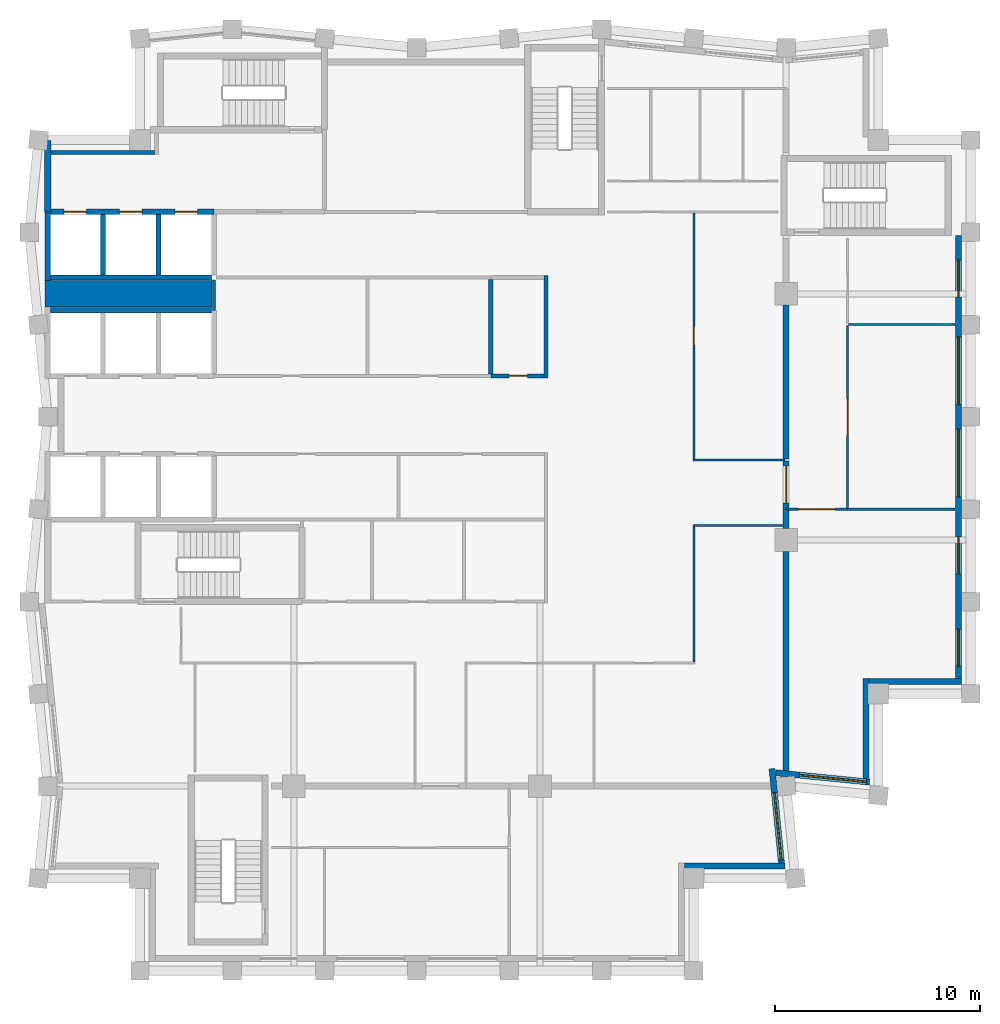
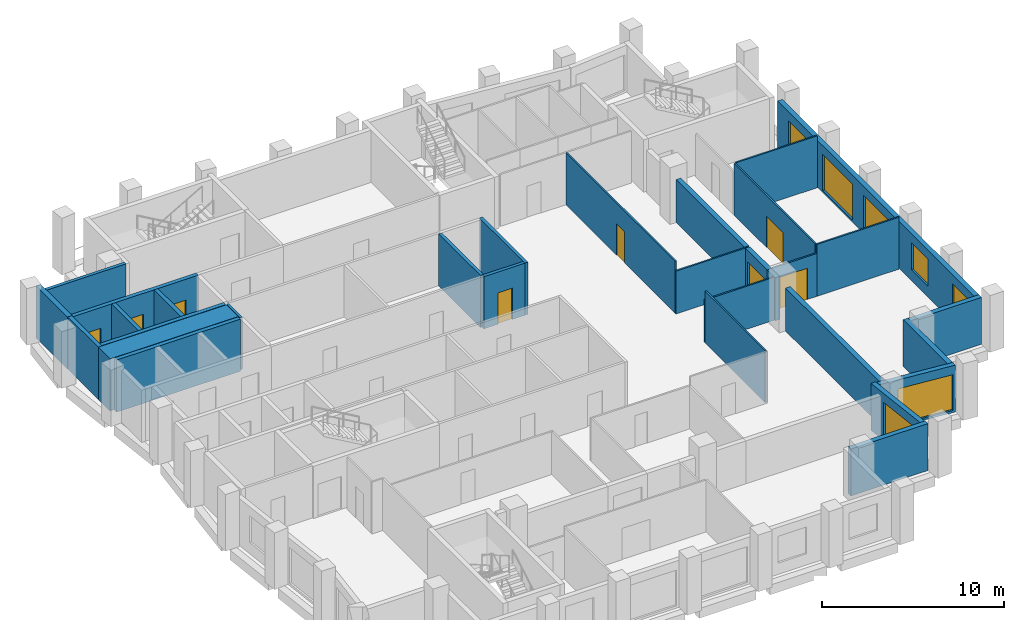
# One storey, part 4 of 7: 31 walls, 8 doors, 7 windows, 15 openings.
"""IFC4 building model written with IfcOpenShell, lengths in metres."""

from ifc_helpers import new_model, si_unit, direction, frame, frame_2d, origin, place, context, subcontext, project, spatial, rectangle, extrude, material, layer, layer_set, type_object, element, fill, save


model = new_model("IFC4")

# Units and contexts
model_context = context("Model", 3, precision=1e-05, world=origin(), true_north=direction((0.0, 1.0)))
body_context = subcontext(model_context, "Body", "Model", "MODEL_VIEW")
ifc_project = project(units=[si_unit("LENGTHUNIT", "METRE"), si_unit("AREAUNIT", "SQUARE_METRE"), si_unit("VOLUMEUNIT", "CUBIC_METRE"), si_unit("PLANEANGLEUNIT", "RADIAN"), si_unit("MASSUNIT", "GRAM", prefix="KILO")], contexts=[model_context])

# Site, building, storey
site_placement = place(None, origin())
site = spatial("IfcSite", under=ifc_project, at=site_placement, CompositionType="ELEMENT")
building_placement = place(site_placement, origin())
building = spatial("IfcBuilding", under=site, at=building_placement, Name="Brondeck Convention Tower", CompositionType="ELEMENT")
storey_placement = place(building_placement, frame((0.0, 0.0, 263.800048828125)))
storey = spatial("IfcBuildingStorey", under=building, at=storey_placement, Name="L65", CompositionType="ELEMENT", Elevation=263.800048828125)

# Walls
ifc_material_1 = material(Name="Concrete compartment wall C30/37", Category="concrete")
ifc_layer_1 = layer(ifc_material_1, 0.300048828125)
ifc_layer_set_1 = layer_set([ifc_layer_1], Name="Compartment wall 300")
wall_type_1 = type_object("IfcWallType", Name="Compartment wall 300", PredefinedType="PARTITIONING", material=ifc_layer_set_1)
wall_1_placement = place(storey_placement, frame((36.0, 27.773681640625, 0.0), z_axis=(0.0, 0.0, 1.0), x_axis=(0.0, 1.0, 0.0)))
element("IfcWall", 1, at=wall_1_placement, inside=storey, type_object=wall_type_1, Name="FLR-L65-W020", PredefinedType="PARTITIONING", context=body_context, shape_type="SweptSolid", body=[
    extrude(rectangle(XDim=10.67138671875, YDim=0.300048828125, at=frame_2d((5.335693359375, 0.0))), origin(), (0.0, 0.0, 1.0), 2.8798828125),
])
wall_2_placement = place(storey_placement, frame((36.0, 40.449951171875, 0.0), z_axis=(0.0, 0.0, 1.0), x_axis=(0.0, -1.0, 0.0)))
element("IfcWall", 2, at=wall_2_placement, inside=storey, type_object=wall_type_1, Name="FLR-L65-W032", PredefinedType="PARTITIONING", context=body_context, shape_type="SweptSolid", body=[
    extrude(rectangle(XDim=0.8798828125, YDim=0.300048828125, at=frame_2d((0.43994140625, 0.0))), origin(), (0.0, 0.0, 1.0), 2.8798828125),
])

# Wall, opening, door
wall_3_placement = place(storey_placement, frame((36.0, 42.85009765625, 0.0), z_axis=(0.0, 0.0, 1.0), x_axis=(0.0, -1.0, 0.0)))
wall_3 = element("IfcWall", 3, at=wall_3_placement, inside=storey, type_object=wall_type_1, Name="FLR-L65-W035", PredefinedType="PARTITIONING", context=body_context, shape_type="SweptSolid", body=[
    extrude(rectangle(XDim=2.39501953125, YDim=0.300048828125, at=frame_2d((1.197509765625, 0.0))), origin(), (0.0, 0.0, 1.0), 2.8798828125),
])
opening_1_placement = place(wall_3_placement, frame((0.25, 0.0, 0.0)))
opening_1 = element("IfcOpeningElement", 4, at=opening_1_placement, cuts=wall_3, Name="Opening EX-B-017", PredefinedType="OPENING", context=body_context, shape_type="SweptSolid", body=[
    extrude(rectangle(XDim=1.800048828125, YDim=2.10009765625, at=frame_2d((0.89990234375, 1.050048828125))), frame((0.0, 0.159912109375, 0.0), z_axis=(0.0, -1.0, 0.0), x_axis=(1.0, 0.0, 0.0)), (0.0, 0.0, 1.0), 0.320068359375),
])
ifc_material_2 = material(Name="Steel fire door pair", Category="steel")
door_type_1 = type_object("IfcDoorType", Name="Fire door pair 1800", OperationType="DOUBLE_DOOR_SINGLE_SWING", PredefinedType="DOOR", material=ifc_material_2)
door_1_placement = place(opening_1_placement, origin())
door_1 = element("IfcDoor", 5, at=door_1_placement, inside=storey, type_object=door_type_1, Name="Door EX-B-017", OperationType="DOUBLE_DOOR_SINGLE_SWING", OverallHeight=2.10009765625, OverallWidth=1.800048828125, PredefinedType="DOOR", context=body_context, shape_type="SweptSolid", body=[
    extrude(rectangle(XDim=1.800048828125, YDim=2.10009765625, at=frame_2d((0.89990234375, 1.050048828125))), frame((0.0, 0.02490234375, 0.0), z_axis=(0.0, -1.0, 0.0), x_axis=(1.0, 0.0, 0.0)), (0.0, 0.0, 1.0), 0.050048828125),
])
fill(opening_1, door_1)

# Walls
wall_4_placement = place(storey_placement, frame((36.0, 42.949951171875, 0.0), z_axis=(0.0, 0.0, 1.0), x_axis=(0.0, 1.0, 0.0)))
element("IfcWall", 6, at=wall_4_placement, inside=storey, type_object=wall_type_1, Name="FLR-L65-W037", PredefinedType="PARTITIONING", context=body_context, shape_type="SweptSolid", body=[
    extrude(rectangle(XDim=7.4951171875, YDim=0.300048828125, at=frame_2d((3.74755859375, 0.0))), origin(), (0.0, 0.0, 1.0), 2.8798828125),
])
ifc_material_3 = material(Name="Concrete C50/60", Category="concrete")
ifc_layer_2 = layer(ifc_material_3, 0.199951171875)
ifc_layer_set_2 = layer_set([ifc_layer_2], Name="Core beam-seat wall 200 Concrete C50/60")
wall_type_2 = type_object("IfcWallType", Name="Core beam-seat wall 200 Concrete C50/60", PredefinedType="SHEAR", material=ifc_layer_set_2)
wall_5_placement = place(storey_placement, frame((24.300048828125, 46.89990234375, 0.0), z_axis=(0.0, 0.0, 1.0), x_axis=(0.0, 1.0, 0.0)))
element("IfcWall", 7, at=wall_5_placement, inside=storey, type_object=wall_type_2, Name="L65 core wall", PredefinedType="SHEAR", context=body_context, shape_type="SweptSolid", body=[
    extrude(rectangle(XDim=5.0, YDim=0.199951171875, at=frame_2d((2.5, 0.0))), origin(), (0.0, 0.0, 1.0), 3.5),
])
ifc_layer_3 = layer(ifc_material_3, 0.300048828125)
ifc_layer_set_3 = layer_set([ifc_layer_3], Name="Core outer wall 300 Concrete C50/60")
wall_type_3 = type_object("IfcWallType", Name="Core outer wall 300 Concrete C50/60", PredefinedType="SHEAR", material=ifc_layer_set_3)
wall_6_placement = place(storey_placement, frame((0.0, 55.0, 0.0), z_axis=(0.0, 0.0, 1.0), x_axis=(0.0, 1.0, 0.0)))
element("IfcWall", 8, at=wall_6_placement, inside=storey, type_object=wall_type_3, Name="L65 core wall", PredefinedType="SHEAR", context=body_context, shape_type="SweptSolid", body=[
    extrude(rectangle(XDim=3.4775390625, YDim=0.300048828125, at=frame_2d((1.73876953125, 0.0))), origin(), (0.0, 0.0, 1.0), 3.5),
])
ifc_material_4 = material(Name="Fire-rated gypsum board partition")
ifc_layer_4 = layer(ifc_material_4, 0.14990234375)
ifc_layer_set_4 = layer_set([ifc_layer_4], Name="Core partition 150 EI 60")
wall_type_4 = type_object("IfcWallType", Name="Core partition 150 EI 60", PredefinedType="PARTITIONING", material=ifc_layer_set_4)
wall_7_placement = place(storey_placement, frame((8.10009765625, 50.199951171875, 0.0), z_axis=(0.0, 0.0, 1.0), x_axis=(0.0, 1.0, 0.0)))
element("IfcWall", 9, at=wall_7_placement, inside=storey, type_object=wall_type_4, Name="L65 core wall", PredefinedType="PARTITIONING", context=body_context, shape_type="SweptSolid", body=[
    extrude(rectangle(XDim=1.47509765625, YDim=0.14990234375, at=frame_2d((0.737548828125, 0.0))), origin(), (0.0, 0.0, 1.0), 3.5),
])
ifc_layer_5 = layer(ifc_material_3, 1.300048828125)
ifc_layer_set_5 = layer_set([ifc_layer_5], Name="Core shear wall 1300 Concrete C50/60")
wall_type_5 = type_object("IfcWallType", Name="Core shear wall 1300 Concrete C50/60", PredefinedType="SHEAR", material=ifc_layer_set_5)
wall_8_placement = place(storey_placement, frame((-0.125, 51.0, 0.0), z_axis=(0.0, 0.0, 1.0), x_axis=(1.0, 0.0, 0.0)))
element("IfcWall", 10, at=wall_8_placement, inside=storey, type_object=wall_type_5, Name="L65 core wall", PredefinedType="SHEAR", context=body_context, shape_type="SweptSolid", body=[
    extrude(rectangle(XDim=8.125, YDim=1.300048828125, at=frame_2d((4.0625, 0.0))), origin(), (0.0, 0.0, 1.0), 3.5),
])
ifc_material_5 = material(Name="Precast concrete C50/60 bronze finish", Category="concrete")
ifc_layer_6 = layer(ifc_material_5, 0.070068359375, Name="Bronze precast facing")
ifc_material_6 = material(Name="Mineral wool")
ifc_layer_7 = layer(ifc_material_6, 0.159912109375, Name="Insulation")
ifc_material_7 = material(Name="Concrete C35/45", Category="concrete")
ifc_layer_8 = layer(ifc_material_7, 0.070068359375, Name="Backing")
ifc_layer_set_6 = layer_set([ifc_layer_6, ifc_layer_7, ifc_layer_8], Name="External infill wall, precast concrete C50/60 bronze facing")
wall_type_6 = type_object("IfcWallType", Name="External infill wall, precast concrete C50/60 bronze facing", PredefinedType="SOLIDWALL", material=ifc_layer_set_6)
wall_9_placement = place(storey_placement, frame((35.952880859375, 23.10009765625, 0.0), z_axis=(0.0, 0.0, 1.0), x_axis=(-1.0, 0.0, 0.0)))
element("IfcWall", 11, at=wall_9_placement, inside=storey, type_object=wall_type_6, Name="ENV-EW-L65-P3-NC-SEB18-02", PredefinedType="SOLIDWALL", context=body_context, shape_type="SweptSolid", body=[
    extrude(rectangle(XDim=4.90283203125, YDim=0.300048828125, at=frame_2d((2.451416015625, 0.0))), origin(), (0.0, 0.0, 1.0), 3.14990234375),
])

# Wall, opening, window
wall_10_placement = place(storey_placement, frame((35.311767578125, 27.852294921875, 0.0), z_axis=(0.0, 0.0, 1.0), x_axis=(0.099503719021, -0.99503719021, 0.0)))
wall_10 = element("IfcWall", 12, at=wall_10_placement, inside=storey, type_object=wall_type_6, Name="ENV-EW-L65-P3-B-E-00", PredefinedType="SOLIDWALL", context=body_context, shape_type="SweptSolid", body=[
    extrude(rectangle(XDim=4.6201171875, YDim=0.300048828125, at=frame_2d((2.31005859375, 0.0))), origin(), (0.0, 0.0, 1.0), 3.14990234375),
])
opening_2_placement = place(wall_10_placement, frame((1.170166015625, 0.0, 0.14990234375)))
opening_2 = element("IfcOpeningElement", 13, at=opening_2_placement, cuts=wall_10, Name="Opening W9", PredefinedType="OPENING", context=body_context, shape_type="SweptSolid", body=[
    extrude(rectangle(XDim=3.300048828125, YDim=2.39990234375, at=frame_2d((1.64990234375, 1.199951171875))), frame((0.0, 0.159912109375, 0.0), z_axis=(0.0, -1.0, 0.0), x_axis=(1.0, 0.0, 0.0)), (0.0, 0.0, 1.0), 0.320068359375),
])
ifc_material_8 = material(Name="Bronze tinted double glazing", Category="glass")
window_type_1 = type_object("IfcWindowType", Name="Glazed flute window, bronze tinted", PartitioningType="SINGLE_PANEL", PredefinedType="WINDOW", material=ifc_material_8)
window_1_placement = place(opening_2_placement, origin())
window_1 = element("IfcWindow", 14, at=window_1_placement, inside=storey, type_object=window_type_1, Name="ENV-WN-L65-P3-B-E-00", OverallHeight=2.39990234375, OverallWidth=3.300048828125, PartitioningType="SINGLE_PANEL", PredefinedType="WINDOW", context=body_context, shape_type="SweptSolid", body=[
    extrude(rectangle(XDim=3.300048828125, YDim=2.39990234375, at=frame_2d((1.64990234375, 1.199951171875))), frame((0.0, 0.030029296875, 0.0), z_axis=(0.0, -1.0, 0.0), x_axis=(1.0, 0.0, 0.0)), (0.0, 0.0, 1.0), 0.06005859375),
])
fill(opening_2, window_1)

wall_11_placement = place(storey_placement, frame((40.06494140625, 27.196533203125, 0.0), z_axis=(0.0, 0.0, 1.0), x_axis=(-0.995036663613, 0.099508984853, 0.0)))
wall_11 = element("IfcWall", 15, at=wall_11_placement, inside=storey, type_object=wall_type_6, Name="ENV-EW-L65-P3-A-S-00", PredefinedType="SOLIDWALL", context=body_context, shape_type="SweptSolid", body=[
    extrude(rectangle(XDim=4.59033203125, YDim=0.300048828125, at=frame_2d((2.295166015625, 0.0))), origin(), (0.0, 0.0, 1.0), 3.14990234375),
])
opening_3_placement = place(wall_11_placement, frame((0.14990234375, 0.0, 0.14990234375)))
opening_3 = element("IfcOpeningElement", 16, at=opening_3_placement, cuts=wall_11, Name="Opening W9", PredefinedType="OPENING", context=body_context, shape_type="SweptSolid", body=[
    extrude(rectangle(XDim=3.300048828125, YDim=2.39990234375, at=frame_2d((1.64990234375, 1.199951171875))), frame((0.0, 0.159912109375, 0.0), z_axis=(0.0, -1.0, 0.0), x_axis=(1.0, 0.0, 0.0)), (0.0, 0.0, 1.0), 0.320068359375),
])
window_2_placement = place(opening_3_placement, origin())
window_2 = element("IfcWindow", 17, at=window_2_placement, inside=storey, type_object=window_type_1, Name="ENV-WN-L65-P3-A-S-00", OverallHeight=2.39990234375, OverallWidth=3.300048828125, PartitioningType="SINGLE_PANEL", PredefinedType="WINDOW", context=body_context, shape_type="SweptSolid", body=[
    extrude(rectangle(XDim=3.300048828125, YDim=2.39990234375, at=frame_2d((1.64990234375, 1.199951171875))), frame((0.0, 0.030029296875, 0.0), z_axis=(0.0, -1.0, 0.0), x_axis=(1.0, 0.0, 0.0)), (0.0, 0.0, 1.0), 0.06005859375),
])
fill(opening_3, window_2)

# Walls
wall_12_placement = place(storey_placement, frame((39.89990234375, 32.25, 0.0), z_axis=(0.0, 0.0, 1.0), x_axis=(0.0, -1.0, 0.0)))
element("IfcWall", 18, at=wall_12_placement, inside=storey, type_object=wall_type_6, Name="ENV-EW-L65-P3-NC-SEA45-01", PredefinedType="SOLIDWALL", context=body_context, shape_type="SweptSolid", body=[
    extrude(rectangle(XDim=4.881103515625, YDim=0.300048828125, at=frame_2d((2.4404296875, 0.0))), origin(), (0.0, 0.0, 1.0), 3.14990234375),
])
wall_13_placement = place(storey_placement, frame((44.550048828125, 32.10009765625, 0.0), z_axis=(0.0, 0.0, 1.0), x_axis=(-1.0, 0.0, 0.0)))
element("IfcWall", 19, at=wall_13_placement, inside=storey, type_object=wall_type_6, Name="ENV-EW-L65-P3-NC-SEA45-02", PredefinedType="SOLIDWALL", context=body_context, shape_type="SweptSolid", body=[
    extrude(rectangle(XDim=4.501953125, YDim=0.300048828125, at=frame_2d((2.2509765625, 0.0))), origin(), (0.0, 0.0, 1.0), 3.14990234375),
])

# Wall, openings, windows
wall_14_placement = place(storey_placement, frame((44.39990234375, 53.85009765625, 0.0), z_axis=(0.0, 0.0, 1.0), x_axis=(0.0, -1.0, 0.0)))
wall_14 = element("IfcWall", 20, at=wall_14_placement, inside=storey, type_object=wall_type_6, Name="ENV-EW-L65-P3-A-E45-01", PredefinedType="SOLIDWALL", context=body_context, shape_type="SweptSolid", body=[
    extrude(rectangle(XDim=21.60205078125, YDim=0.300048828125, at=frame_2d((10.801025390625, 0.0))), origin(), (0.0, 0.0, 1.0), 3.14990234375),
])
opening_4_placement = place(wall_14_placement, frame((1.199951171875, 0.0, 0.75)))
opening_4 = element("IfcOpeningElement", 21, at=opening_4_placement, cuts=wall_14, Name="Opening W10", PredefinedType="OPENING", context=body_context, shape_type="SweptSolid", body=[
    extrude(rectangle(XDim=1.800048828125, YDim=1.800048828125, at=frame_2d((0.89990234375, 0.89990234375))), frame((0.0, 0.159912109375, 0.0), z_axis=(0.0, -1.0, 0.0), x_axis=(1.0, 0.0, 0.0)), (0.0, 0.0, 1.0), 0.320068359375),
])
opening_5_placement = place(wall_14_placement, frame((4.949951171875, 0.0, 0.14990234375)))
opening_5 = element("IfcOpeningElement", 22, at=opening_5_placement, cuts=wall_14, Name="Opening W9", PredefinedType="OPENING", context=body_context, shape_type="SweptSolid", body=[
    extrude(rectangle(XDim=3.300048828125, YDim=2.39990234375, at=frame_2d((1.64990234375, 1.199951171875))), frame((0.0, 0.159912109375, 0.0), z_axis=(0.0, -1.0, 0.0), x_axis=(1.0, 0.0, 0.0)), (0.0, 0.0, 1.0), 0.320068359375),
])
opening_6_placement = place(wall_14_placement, frame((9.449951171875, 0.0, 0.14990234375)))
opening_6 = element("IfcOpeningElement", 23, at=opening_6_placement, cuts=wall_14, Name="Opening W9", PredefinedType="OPENING", context=body_context, shape_type="SweptSolid", body=[
    extrude(rectangle(XDim=3.300048828125, YDim=2.39990234375, at=frame_2d((1.64990234375, 1.199951171875))), frame((0.0, 0.159912109375, 0.0), z_axis=(0.0, -1.0, 0.0), x_axis=(1.0, 0.0, 0.0)), (0.0, 0.0, 1.0), 0.320068359375),
])
opening_7_placement = place(wall_14_placement, frame((14.699951171875, 0.0, 0.75)))
opening_7 = element("IfcOpeningElement", 24, at=opening_7_placement, cuts=wall_14, Name="Opening W10", PredefinedType="OPENING", context=body_context, shape_type="SweptSolid", body=[
    extrude(rectangle(XDim=1.800048828125, YDim=1.800048828125, at=frame_2d((0.89990234375, 0.89990234375))), frame((0.0, 0.159912109375, 0.0), z_axis=(0.0, -1.0, 0.0), x_axis=(1.0, 0.0, 0.0)), (0.0, 0.0, 1.0), 0.320068359375),
])
opening_8_placement = place(wall_14_placement, frame((19.199951171875, 0.0, 0.75)))
opening_8 = element("IfcOpeningElement", 25, at=opening_8_placement, cuts=wall_14, Name="Opening W10", PredefinedType="OPENING", context=body_context, shape_type="SweptSolid", body=[
    extrude(rectangle(XDim=1.800048828125, YDim=1.800048828125, at=frame_2d((0.89990234375, 0.89990234375))), frame((0.0, 0.159912109375, 0.0), z_axis=(0.0, -1.0, 0.0), x_axis=(1.0, 0.0, 0.0)), (0.0, 0.0, 1.0), 0.320068359375),
])
window_3_placement = place(opening_5_placement, origin())
window_3 = element("IfcWindow", 26, at=window_3_placement, inside=storey, type_object=window_type_1, Name="ENV-WN-L65-P3-A-E45-04", OverallHeight=2.39990234375, OverallWidth=3.300048828125, PartitioningType="SINGLE_PANEL", PredefinedType="WINDOW", context=body_context, shape_type="SweptSolid", body=[
    extrude(rectangle(XDim=3.300048828125, YDim=2.39990234375, at=frame_2d((1.64990234375, 1.199951171875))), frame((0.0, 0.030029296875, 0.0), z_axis=(0.0, -1.0, 0.0), x_axis=(1.0, 0.0, 0.0)), (0.0, 0.0, 1.0), 0.06005859375),
])
fill(opening_5, window_3)
window_4_placement = place(opening_6_placement, origin())
window_4 = element("IfcWindow", 27, at=window_4_placement, inside=storey, type_object=window_type_1, Name="ENV-WN-L65-P3-A-E45-03", OverallHeight=2.39990234375, OverallWidth=3.300048828125, PartitioningType="SINGLE_PANEL", PredefinedType="WINDOW", context=body_context, shape_type="SweptSolid", body=[
    extrude(rectangle(XDim=3.300048828125, YDim=2.39990234375, at=frame_2d((1.64990234375, 1.199951171875))), frame((0.0, 0.030029296875, 0.0), z_axis=(0.0, -1.0, 0.0), x_axis=(1.0, 0.0, 0.0)), (0.0, 0.0, 1.0), 0.06005859375),
])
fill(opening_6, window_4)
window_type_2 = type_object("IfcWindowType", Name="Punched window, bronze tinted", PartitioningType="SINGLE_PANEL", PredefinedType="WINDOW", material=ifc_material_8)
window_5_placement = place(opening_4_placement, origin())
window_5 = element("IfcWindow", 28, at=window_5_placement, inside=storey, type_object=window_type_2, Name="ENV-WN-L65-P3-A-E45-05", OverallHeight=1.800048828125, OverallWidth=1.800048828125, PartitioningType="SINGLE_PANEL", PredefinedType="WINDOW", context=body_context, shape_type="SweptSolid", body=[
    extrude(rectangle(XDim=1.800048828125, YDim=1.800048828125, at=frame_2d((0.89990234375, 0.89990234375))), frame((0.0, 0.030029296875, 0.0), z_axis=(0.0, -1.0, 0.0), x_axis=(1.0, 0.0, 0.0)), (0.0, 0.0, 1.0), 0.06005859375),
])
fill(opening_4, window_5)
window_6_placement = place(opening_7_placement, origin())
window_6 = element("IfcWindow", 29, at=window_6_placement, inside=storey, type_object=window_type_2, Name="ENV-WN-L65-P3-A-E45-02", OverallHeight=1.800048828125, OverallWidth=1.800048828125, PartitioningType="SINGLE_PANEL", PredefinedType="WINDOW", context=body_context, shape_type="SweptSolid", body=[
    extrude(rectangle(XDim=1.800048828125, YDim=1.800048828125, at=frame_2d((0.89990234375, 0.89990234375))), frame((0.0, 0.030029296875, 0.0), z_axis=(0.0, -1.0, 0.0), x_axis=(1.0, 0.0, 0.0)), (0.0, 0.0, 1.0), 0.06005859375),
])
fill(opening_7, window_6)
window_7_placement = place(opening_8_placement, origin())
window_7 = element("IfcWindow", 30, at=window_7_placement, inside=storey, type_object=window_type_2, Name="ENV-WN-L65-P3-A-E45-01", OverallHeight=1.800048828125, OverallWidth=1.800048828125, PartitioningType="SINGLE_PANEL", PredefinedType="WINDOW", context=body_context, shape_type="SweptSolid", body=[
    extrude(rectangle(XDim=1.800048828125, YDim=1.800048828125, at=frame_2d((0.89990234375, 0.89990234375))), frame((0.0, 0.030029296875, 0.0), z_axis=(0.0, -1.0, 0.0), x_axis=(1.0, 0.0, 0.0)), (0.0, 0.0, 1.0), 0.06005859375),
])
fill(opening_8, window_7)

# Walls
ifc_layer_9 = layer(ifc_material_4, 0.199951171875)
ifc_layer_set_7 = layer_set([ifc_layer_9], Name="Firefighting lobby wall 200 EI 120")
wall_type_7 = type_object("IfcWallType", Name="Firefighting lobby wall 200 EI 120", PredefinedType="PARTITIONING", material=ifc_layer_set_7)
wall_15_placement = place(storey_placement, frame((0.14990234375, 57.89990234375, 0.0), z_axis=(0.0, 0.0, 1.0), x_axis=(1.0, 0.0, 0.0)))
element("IfcWall", 31, at=wall_15_placement, inside=storey, type_object=wall_type_7, Name="L65 core wall", PredefinedType="PARTITIONING", context=body_context, shape_type="SweptSolid", body=[
    extrude(rectangle(XDim=5.050048828125, YDim=0.199951171875, at=frame_2d((2.52490234375, 0.0))), origin(), (0.0, 0.0, 1.0), 3.5),
])
ifc_layer_10 = layer(ifc_material_3, 0.25)
ifc_layer_set_8 = layer_set([ifc_layer_10], Name="Lift shaft wall 250 Concrete C50/60")
wall_type_8 = type_object("IfcWallType", Name="Lift shaft wall 250 Concrete C50/60", PredefinedType="SHEAR", material=ifc_layer_set_8)
for number, where, z_axis, x_axis, name in (
    (32, (0.125, 50.199951171875, 0.0), (0.0, 0.0, 1.0), (1.0, 0.0, 0.0), "L65 core wall"),
    (33, (0.125, 51.800048828125, 0.0), (0.0, 0.0, 1.0), (1.0, 0.0, 0.0), "L65 core wall"),
):
    element("IfcWall", number, at=place(storey_placement, frame(where, z_axis=z_axis, x_axis=x_axis)), inside=storey, type_object=wall_type_8, Name=name, PredefinedType="SHEAR", context=body_context, shape_type="SweptSolid", body=[
        extrude(rectangle(XDim=7.85009765625, YDim=0.25, at=frame_2d((3.925048828125, 0.0))), origin(), (0.0, 0.0, 1.0), 3.5),
    ])

# Wall, openings, doors
wall_16_placement = place(storey_placement, frame((0.14990234375, 55.0, 0.0), z_axis=(0.0, 0.0, 1.0), x_axis=(1.0, 0.0, 0.0)))
wall_16 = element("IfcWall", 34, at=wall_16_placement, inside=storey, type_object=wall_type_8, Name="L65 core wall", PredefinedType="SHEAR", context=body_context, shape_type="SweptSolid", body=[
    extrude(rectangle(XDim=7.9501953125, YDim=0.25, at=frame_2d((3.97509765625, 0.0))), origin(), (0.0, 0.0, 1.0), 3.5),
])
opening_9_placement = place(wall_16_placement, frame((0.64990234375, 0.0, 0.0)))
opening_9 = element("IfcOpeningElement", 35, at=opening_9_placement, cuts=wall_16, Name="Opening C36-17", PredefinedType="OPENING", context=body_context, shape_type="SweptSolid", body=[
    extrude(rectangle(XDim=1.10009765625, YDim=2.10009765625, at=frame_2d((0.550048828125, 1.050048828125))), frame((0.0, 0.135009765625, 0.0), z_axis=(0.0, -1.0, 0.0), x_axis=(1.0, 0.0, 0.0)), (0.0, 0.0, 1.0), 0.27001953125),
])
opening_10_placement = place(wall_16_placement, frame((3.35009765625, 0.0, 0.0)))
opening_10 = element("IfcOpeningElement", 36, at=opening_10_placement, cuts=wall_16, Name="Opening C36-18", PredefinedType="OPENING", context=body_context, shape_type="SweptSolid", body=[
    extrude(rectangle(XDim=1.10009765625, YDim=2.10009765625, at=frame_2d((0.550048828125, 1.050048828125))), frame((0.0, 0.135009765625, 0.0), z_axis=(0.0, -1.0, 0.0), x_axis=(1.0, 0.0, 0.0)), (0.0, 0.0, 1.0), 0.27001953125),
])
opening_11_placement = place(wall_16_placement, frame((6.050048828125, 0.0, 0.0)))
opening_11 = element("IfcOpeningElement", 37, at=opening_11_placement, cuts=wall_16, Name="Opening C36-19", PredefinedType="OPENING", context=body_context, shape_type="SweptSolid", body=[
    extrude(rectangle(XDim=1.10009765625, YDim=2.10009765625, at=frame_2d((0.550048828125, 1.050048828125))), frame((0.0, 0.135009765625, 0.0), z_axis=(0.0, -1.0, 0.0), x_axis=(1.0, 0.0, 0.0)), (0.0, 0.0, 1.0), 0.27001953125),
])
ifc_material_9 = material(Name="Stainless steel lift door", Category="steel")
door_type_2 = type_object("IfcDoorType", Name="Lift landing door 1100x2100 EI 180", OperationType="DOUBLE_DOOR_SLIDING", PredefinedType="DOOR", material=ifc_material_9)
door_2_placement = place(opening_9_placement, origin())
door_2 = element("IfcDoor", 38, at=door_2_placement, inside=storey, type_object=door_type_2, Name="L65 Lift landing door FF1", OperationType="DOUBLE_DOOR_SLIDING", OverallHeight=2.10009765625, OverallWidth=1.10009765625, PredefinedType="DOOR", context=body_context, shape_type="SweptSolid", body=[
    extrude(rectangle(XDim=1.10009765625, YDim=2.10009765625, at=frame_2d((0.550048828125, 1.050048828125))), frame((0.0, 0.02490234375, 0.0), z_axis=(0.0, -1.0, 0.0), x_axis=(1.0, 0.0, 0.0)), (0.0, 0.0, 1.0), 0.050048828125),
])
fill(opening_9, door_2)
door_3_placement = place(opening_10_placement, origin())
door_3 = element("IfcDoor", 39, at=door_3_placement, inside=storey, type_object=door_type_2, Name="L65 Lift landing door FF2", OperationType="DOUBLE_DOOR_SLIDING", OverallHeight=2.10009765625, OverallWidth=1.10009765625, PredefinedType="DOOR", context=body_context, shape_type="SweptSolid", body=[
    extrude(rectangle(XDim=1.10009765625, YDim=2.10009765625, at=frame_2d((0.550048828125, 1.050048828125))), frame((0.0, 0.02490234375, 0.0), z_axis=(0.0, -1.0, 0.0), x_axis=(1.0, 0.0, 0.0)), (0.0, 0.0, 1.0), 0.050048828125),
])
fill(opening_10, door_3)
door_4_placement = place(opening_11_placement, origin())
door_4 = element("IfcDoor", 40, at=door_4_placement, inside=storey, type_object=door_type_2, Name="L65 Lift landing door FF3", OperationType="DOUBLE_DOOR_SLIDING", OverallHeight=2.10009765625, OverallWidth=1.10009765625, PredefinedType="DOOR", context=body_context, shape_type="SweptSolid", body=[
    extrude(rectangle(XDim=1.10009765625, YDim=2.10009765625, at=frame_2d((0.550048828125, 1.050048828125))), frame((0.0, 0.02490234375, 0.0), z_axis=(0.0, -1.0, 0.0), x_axis=(1.0, 0.0, 0.0)), (0.0, 0.0, 1.0), 0.050048828125),
])
fill(opening_11, door_4)

# Walls
wall_17_placement = place(storey_placement, frame((0.0, 51.64990234375, 0.0), z_axis=(0.0, 0.0, 1.0), x_axis=(0.0, 1.0, 0.0)))
element("IfcWall", 41, at=wall_17_placement, inside=storey, type_object=wall_type_8, Name="L65 core wall", PredefinedType="SHEAR", context=body_context, shape_type="SweptSolid", body=[
    extrude(rectangle(XDim=3.35009765625, YDim=0.25, at=frame_2d((1.675048828125, 0.0))), origin(), (0.0, 0.0, 1.0), 3.5),
])
for number, where, z_axis, x_axis, name in (
    (42, (2.699951171875, 51.925048828125, 0.0), (0.0, 0.0, 1.0), (0.0, 1.0, 0.0), "L65 core wall"),
    (43, (5.39990234375, 51.925048828125, 0.0), (0.0, 0.0, 1.0), (0.0, 1.0, 0.0), "L65 core wall"),
):
    element("IfcWall", number, at=place(storey_placement, frame(where, z_axis=z_axis, x_axis=x_axis)), inside=storey, type_object=wall_type_8, Name=name, PredefinedType="SHEAR", context=body_context, shape_type="SweptSolid", body=[
        extrude(rectangle(XDim=2.949951171875, YDim=0.25, at=frame_2d((1.47509765625, 0.0))), origin(), (0.0, 0.0, 1.0), 3.5),
    ])

# Wall, opening, door
ifc_layer_11 = layer(ifc_material_4, 0.199951171875)
ifc_layer_set_9 = layer_set([ifc_layer_11], Name="Riser wall 200 EI 120")
wall_type_9 = type_object("IfcWallType", Name="Riser wall 200 EI 120", PredefinedType="PARTITIONING", material=ifc_layer_set_9)
wall_18_placement = place(storey_placement, frame((21.60009765625, 47.0, 0.0), z_axis=(0.0, 0.0, 1.0), x_axis=(1.0, 0.0, 0.0)))
wall_18 = element("IfcWall", 44, at=wall_18_placement, inside=storey, type_object=wall_type_9, Name="L65 core wall", PredefinedType="PARTITIONING", context=body_context, shape_type="SweptSolid", body=[
    extrude(rectangle(XDim=2.599853515625, YDim=0.199951171875, at=frame_2d((1.2998046875, 0.0))), origin(), (0.0, 0.0, 1.0), 3.5),
])
opening_12_placement = place(wall_18_placement, frame((0.89990234375, 0.0, 0.0)))
opening_12 = element("IfcOpeningElement", 45, at=opening_12_placement, cuts=wall_18, Name="Opening C36-02", PredefinedType="OPENING", context=body_context, shape_type="SweptSolid", body=[
    extrude(rectangle(XDim=0.89990234375, YDim=2.10009765625, at=frame_2d((0.449951171875, 1.050048828125))), frame((0.0, 0.10986328125, 0.0), z_axis=(0.0, -1.0, 0.0), x_axis=(1.0, 0.0, 0.0)), (0.0, 0.0, 1.0), 0.219970703125),
])
ifc_material_10 = material(Name="Steel fire door", Category="steel")
door_type_3 = type_object("IfcDoorType", Name="Riser door 900x2100 EI 120", OperationType="NOTDEFINED", PredefinedType="DOOR", material=ifc_material_10)
door_5_placement = place(opening_12_placement, origin())
door_5 = element("IfcDoor", 46, at=door_5_placement, inside=storey, type_object=door_type_3, Name="L65 Riser door EN-1", OperationType="SINGLE_SWING_LEFT", OverallHeight=2.10009765625, OverallWidth=0.89990234375, PredefinedType="DOOR", context=body_context, shape_type="SweptSolid", body=[
    extrude(rectangle(XDim=0.89990234375, YDim=2.10009765625, at=frame_2d((0.449951171875, 1.050048828125))), frame((0.0, 0.02490234375, 0.0), z_axis=(0.0, -1.0, 0.0), x_axis=(1.0, 0.0, 0.0)), (0.0, 0.0, 1.0), 0.050048828125),
])
fill(opening_12, door_5)

# Walls
wall_19_placement = place(storey_placement, frame((21.60009765625, 47.10009765625, 0.0), z_axis=(0.0, 0.0, 1.0), x_axis=(0.0, 1.0, 0.0)))
element("IfcWall", 47, at=wall_19_placement, inside=storey, type_object=wall_type_9, Name="L65 core wall", PredefinedType="PARTITIONING", context=body_context, shape_type="SweptSolid", body=[
    extrude(rectangle(XDim=4.599853515625, YDim=0.199951171875, at=frame_2d((2.2998046875, 0.0))), origin(), (0.0, 0.0, 1.0), 3.5),
])
ifc_material_11 = material(Name="Gypsum board partition on steel studs", Category="steel")
ifc_layer_12 = layer(ifc_material_11, 0.10009765625)
ifc_layer_set_10 = layer_set([ifc_layer_12], Name="Room partition 100")
wall_type_10 = type_object("IfcWallType", Name="Room partition 100", PredefinedType="PARTITIONING", material=ifc_layer_set_10)
wall_20_placement = place(storey_placement, frame((31.5, 39.64990234375, 0.0), z_axis=(0.0, 0.0, 1.0), x_axis=(0.0, -1.0, 0.0)))
element("IfcWall", 48, at=wall_20_placement, inside=storey, type_object=wall_type_10, Name="FLR-L65-W030", PredefinedType="PARTITIONING", context=body_context, shape_type="SweptSolid", body=[
    extrude(rectangle(XDim=6.599853515625, YDim=0.10009765625, at=frame_2d((3.2998046875, 0.0))), origin(), (0.0, 0.0, 1.0), 3.47998046875),
])
wall_21_placement = place(storey_placement, frame((35.949951171875, 39.699951171875, 0.0), z_axis=(0.0, 0.0, 1.0), x_axis=(-1.0, 0.0, 0.0)))
element("IfcWall", 49, at=wall_21_placement, inside=storey, type_object=wall_type_10, Name="FLR-L65-W031", PredefinedType="PARTITIONING", context=body_context, shape_type="SweptSolid", body=[
    extrude(rectangle(XDim=4.5, YDim=0.10009765625, at=frame_2d((2.25, 0.0))), origin(), (0.0, 0.0, 1.0), 2.8798828125),
])

# Wall, opening, door
wall_22_placement = place(storey_placement, frame((39.0, 40.5, 0.0), z_axis=(0.0, 0.0, 1.0), x_axis=(-1.0, 0.0, 0.0)))
wall_22 = element("IfcWall", 50, at=wall_22_placement, inside=storey, type_object=wall_type_10, Name="FLR-L65-W033", PredefinedType="PARTITIONING", context=body_context, shape_type="SweptSolid", body=[
    extrude(rectangle(XDim=2.949951171875, YDim=0.10009765625, at=frame_2d((1.47509765625, 0.0))), origin(), (0.0, 0.0, 1.0), 2.8798828125),
])
opening_13_placement = place(wall_22_placement, frame((0.60009765625, 0.0, 0.0)))
opening_13 = element("IfcOpeningElement", 51, at=opening_13_placement, cuts=wall_22, Name="Opening EX-B-003", PredefinedType="OPENING", context=body_context, shape_type="SweptSolid", body=[
    extrude(rectangle(XDim=1.800048828125, YDim=2.10009765625, at=frame_2d((0.89990234375, 1.050048828125))), frame((0.0, 0.06005859375, 0.0), z_axis=(0.0, -1.0, 0.0), x_axis=(1.0, 0.0, 0.0)), (0.0, 0.0, 1.0), 0.1201171875),
])
ifc_material_12 = material(Name="Glazed timber double door", Category="wood")
door_type_4 = type_object("IfcDoorType", Name="Double door 1800", OperationType="DOUBLE_DOOR_SINGLE_SWING", PredefinedType="DOOR", material=ifc_material_12)
door_6_placement = place(opening_13_placement, origin())
door_6 = element("IfcDoor", 52, at=door_6_placement, inside=storey, type_object=door_type_4, Name="Door EX-B-003", OperationType="DOUBLE_DOOR_SINGLE_SWING", OverallHeight=2.10009765625, OverallWidth=1.800048828125, PredefinedType="DOOR", context=body_context, shape_type="SweptSolid", body=[
    extrude(rectangle(XDim=1.800048828125, YDim=2.10009765625, at=frame_2d((0.89990234375, 1.050048828125))), frame((0.0, 0.02490234375, 0.0), z_axis=(0.0, -1.0, 0.0), x_axis=(1.0, 0.0, 0.0)), (0.0, 0.0, 1.0), 0.050048828125),
])
fill(opening_13, door_6)

# Walls
wall_23_placement = place(storey_placement, frame((44.22998046875, 40.5, 0.0), z_axis=(0.0, 0.0, 1.0), x_axis=(-1.0, 0.0, 0.0)))
element("IfcWall", 53, at=wall_23_placement, inside=storey, type_object=wall_type_10, Name="FLR-L65-W034", PredefinedType="PARTITIONING", context=body_context, shape_type="SweptSolid", body=[
    extrude(rectangle(XDim=5.22998046875, YDim=0.10009765625, at=frame_2d((2.614990234375, 0.0))), origin(), (0.0, 0.0, 1.0), 3.47998046875),
])
wall_24_placement = place(storey_placement, frame((31.449951171875, 42.89990234375, 0.0), z_axis=(0.0, 0.0, 1.0), x_axis=(1.0, 0.0, 0.0)))
element("IfcWall", 54, at=wall_24_placement, inside=storey, type_object=wall_type_10, Name="FLR-L65-W036", PredefinedType="PARTITIONING", context=body_context, shape_type="SweptSolid", body=[
    extrude(rectangle(XDim=4.5, YDim=0.10009765625, at=frame_2d((2.25, 0.0))), origin(), (0.0, 0.0, 1.0), 2.8798828125),
])

# Wall, opening, door
wall_25_placement = place(storey_placement, frame((39.0, 49.449951171875, 0.0), z_axis=(0.0, 0.0, 1.0), x_axis=(0.0, -1.0, 0.0)))
wall_25 = element("IfcWall", 55, at=wall_25_placement, inside=storey, type_object=wall_type_10, Name="FLR-L65-W038", PredefinedType="PARTITIONING", context=body_context, shape_type="SweptSolid", body=[
    extrude(rectangle(XDim=8.89990234375, YDim=0.10009765625, at=frame_2d((4.449951171875, 0.0))), origin(), (0.0, 0.0, 1.0), 3.47998046875),
])
opening_14_placement = place(wall_25_placement, frame((3.550048828125, 0.0, 0.0)))
opening_14 = element("IfcOpeningElement", 56, at=opening_14_placement, cuts=wall_25, Name="Opening EX-B-001", PredefinedType="OPENING", context=body_context, shape_type="SweptSolid", body=[
    extrude(rectangle(XDim=1.800048828125, YDim=2.10009765625, at=frame_2d((0.89990234375, 1.050048828125))), frame((0.0, 0.06005859375, 0.0), z_axis=(0.0, -1.0, 0.0), x_axis=(1.0, 0.0, 0.0)), (0.0, 0.0, 1.0), 0.1201171875),
])
door_7_placement = place(opening_14_placement, origin())
door_7 = element("IfcDoor", 57, at=door_7_placement, inside=storey, type_object=door_type_4, Name="Door EX-B-001", OperationType="DOUBLE_DOOR_SINGLE_SWING", OverallHeight=2.10009765625, OverallWidth=1.800048828125, PredefinedType="DOOR", context=body_context, shape_type="SweptSolid", body=[
    extrude(rectangle(XDim=1.800048828125, YDim=2.10009765625, at=frame_2d((0.89990234375, 1.050048828125))), frame((0.0, 0.02490234375, 0.0), z_axis=(0.0, -1.0, 0.0), x_axis=(1.0, 0.0, 0.0)), (0.0, 0.0, 1.0), 0.050048828125),
])
fill(opening_14, door_7)

# Wall
wall_26_placement = place(storey_placement, frame((39.050048828125, 49.5, 0.0), z_axis=(0.0, 0.0, 1.0), x_axis=(1.0, 0.0, 0.0)))
element("IfcWall", 58, at=wall_26_placement, inside=storey, type_object=wall_type_10, Name="FLR-L65-W039", PredefinedType="PARTITIONING", context=body_context, shape_type="SweptSolid", body=[
    extrude(rectangle(XDim=5.179931640625, YDim=0.10009765625, at=frame_2d((2.58984375, 0.0))), origin(), (0.0, 0.0, 1.0), 3.47998046875),
])

# Wall, opening, door
wall_27_placement = place(storey_placement, frame((31.5, 54.949951171875, 0.0), z_axis=(0.0, 0.0, 1.0), x_axis=(0.0, -1.0, 0.0)))
wall_27 = element("IfcWall", 59, at=wall_27_placement, inside=storey, type_object=wall_type_10, Name="FLR-L65-W042", PredefinedType="PARTITIONING", context=body_context, shape_type="SweptSolid", body=[
    extrude(rectangle(XDim=12.0, YDim=0.10009765625, at=frame_2d((6.0, 0.0))), origin(), (0.0, 0.0, 1.0), 3.47998046875),
])
opening_15_placement = place(wall_27_placement, frame((5.550048828125, 0.0, 0.0)))
opening_15 = element("IfcOpeningElement", 60, at=opening_15_placement, cuts=wall_27, Name="Opening EX-B-016", PredefinedType="OPENING", context=body_context, shape_type="SweptSolid", body=[
    extrude(rectangle(XDim=0.89990234375, YDim=2.10009765625, at=frame_2d((0.449951171875, 1.050048828125))), frame((0.0, 0.06005859375, 0.0), z_axis=(0.0, -1.0, 0.0), x_axis=(1.0, 0.0, 0.0)), (0.0, 0.0, 1.0), 0.1201171875),
])
ifc_material_13 = material(Name="Solid timber door leaf", Category="wood")
door_type_5 = type_object("IfcDoorType", Name="Single door 900", OperationType="NOTDEFINED", PredefinedType="DOOR", material=ifc_material_13)
door_8_placement = place(opening_15_placement, origin())
door_8 = element("IfcDoor", 61, at=door_8_placement, inside=storey, type_object=door_type_5, Name="Door EX-B-016", OperationType="SINGLE_SWING_LEFT", OverallHeight=2.10009765625, OverallWidth=0.89990234375, PredefinedType="DOOR", context=body_context, shape_type="SweptSolid", body=[
    extrude(rectangle(XDim=0.89990234375, YDim=2.10009765625, at=frame_2d((0.449951171875, 1.050048828125))), frame((0.0, 0.02490234375, 0.0), z_axis=(0.0, -1.0, 0.0), x_axis=(1.0, 0.0, 0.0)), (0.0, 0.0, 1.0), 0.050048828125),
])
fill(opening_15, door_8)

save(model, "model.ifc")
